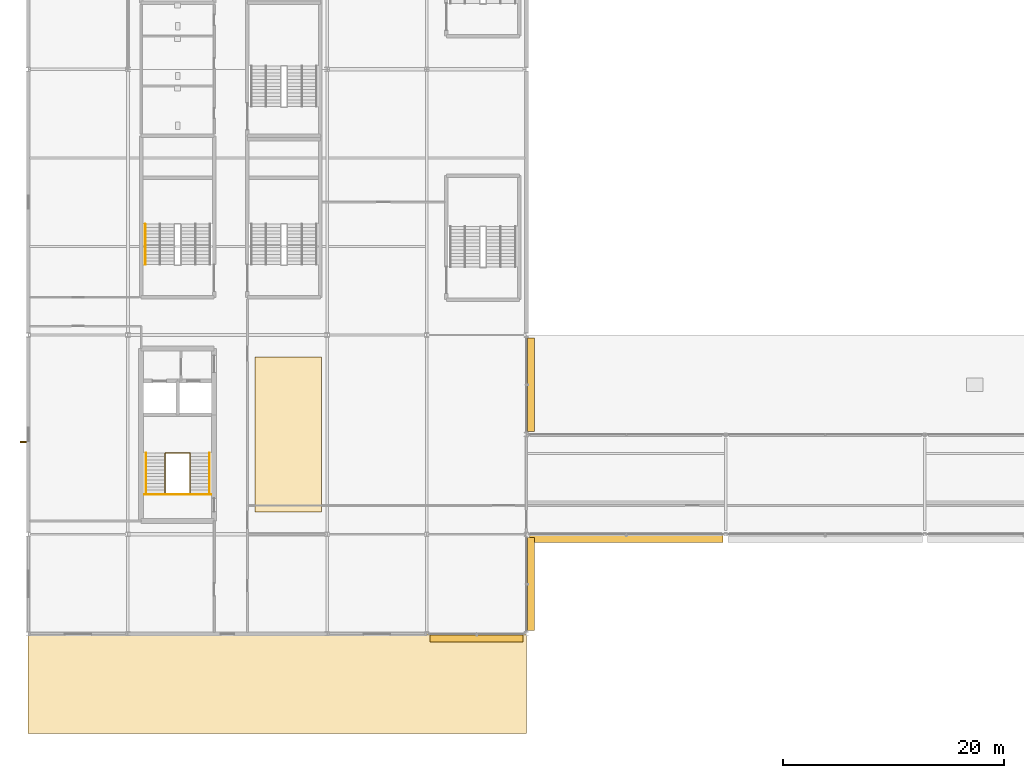
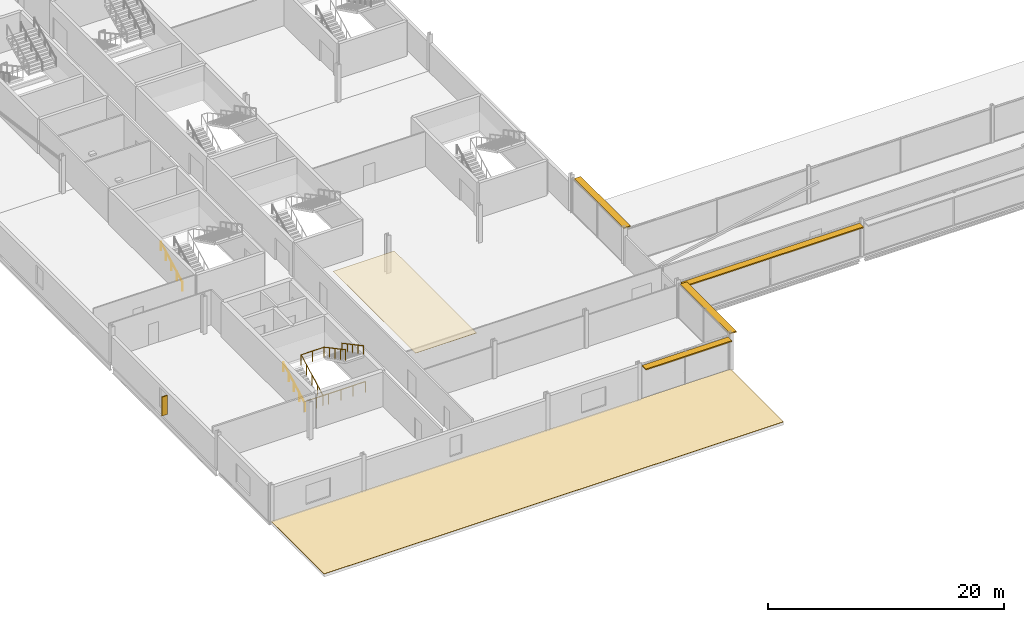
# One storey, part 96 of 105: 5 railings, 5 shading devices, 2 coverings, 1 element without a shape of its own.
"""IFC4 building model written with IfcOpenShell, lengths in metres."""

from ifc_helpers import new_model, si_unit, direction, frame, origin, origin_2d, place, context, subcontext, project, spatial, polyline, rectangle, circle, outline, extrude, material, layer, layer_set, type_object, element, aggregate, save


model = new_model("IFC4")

# Units and contexts
model_context = context("Model", 3, precision=1e-05, world=origin(), true_north=direction((0.0, 1.0)))
body_context = subcontext(model_context, "Body", "Model", "MODEL_VIEW")
ifc_project = project(units=[si_unit("LENGTHUNIT", "METRE"), si_unit("AREAUNIT", "SQUARE_METRE"), si_unit("VOLUMEUNIT", "CUBIC_METRE"), si_unit("PLANEANGLEUNIT", "RADIAN"), si_unit("MASSUNIT", "GRAM", prefix="KILO")], contexts=[model_context])

# Site, building, storey
site_placement = place(None, origin())
site = spatial("IfcSite", under=ifc_project, at=site_placement, CompositionType="ELEMENT")
building_placement = place(site_placement, origin())
building = spatial("IfcBuilding", under=site, at=building_placement, Name="Kisiwana Market Hall", CompositionType="ELEMENT")
storey_placement = place(building_placement, frame((0.0, 0.0, 21.60009765625)))
storey = spatial("IfcBuildingStorey", under=building, at=storey_placement, Name="L04", CompositionType="ELEMENT", Elevation=21.60009765625)

# Covering
ifc_material_1 = material(Name="Mineral-fibre acoustic ceiling board")
ifc_layer_1 = layer(ifc_material_1, 0.02490234375)
ifc_layer_set_1 = layer_set([ifc_layer_1], Name="COV-CEIL-AC")
covering_type_1 = type_object("IfcCoveringType", Name="COV-CEIL-AC", PredefinedType="CEILING", material=ifc_layer_set_1)
covering_1_placement = place(storey_placement, frame((0.0, 0.0, 3.559814453125)))
element("IfcCovering", 1, at=covering_1_placement, inside=storey, type_object=covering_type_1, Name="Acoustic ceiling grid L04-013", PredefinedType="CEILING", context=body_context, shape_type="SweptSolid", body=[
    extrude(outline(polyline([(20.5, 20.0), (26.5, 20.0), (26.5, 34.0), (20.5, 34.0), (20.5, 20.0)])), origin(), (0.0, 0.0, 1.0), 0.025146484375),
])

# Roof, covering
ifc_material_2 = material(Name="Concrete C32/40", Category="concrete")
ifc_layer_2 = layer(ifc_material_2, 0.22998046875)
ifc_layer_set_2 = layer_set([ifc_layer_2], Name="RF-CROWN-FLAT")
roof_type = type_object("IfcRoofType", Name="RF-CROWN-FLAT", PredefinedType="FLAT_ROOF", material=ifc_layer_set_2)
roof_placement = place(storey_placement, origin())
roof = element("IfcRoof", 2, at=roof_placement, inside=storey, type_object=roof_type, Name="Flat roof assembly RF-L03-WS", PredefinedType="FLAT_ROOF")
ifc_material_3 = material(Name="Aluminium alloy 3003 standing-seam sheet", Category="aluminium")
ifc_layer_3 = layer(ifc_material_3, 0.034912109375)
ifc_layer_set_3 = layer_set([ifc_layer_3], Name="COV-ROOF-SEAM")
covering_type_2 = type_object("IfcCoveringType", Name="COV-ROOF-SEAM", PredefinedType="ROOFING", material=ifc_layer_set_3)
covering_2_placement = place(storey_placement, origin())
covering_2 = element("IfcCovering", 3, at=covering_2_placement, type_object=covering_type_2, Name="Standing-seam roof membrane RF-L03-WS", PredefinedType="ROOFING", context=body_context, shape_type="SweptSolid", body=[
    extrude(outline(polyline([(0.0, 0.0), (45.0, 0.0), (45.0, 9.0), (0.0, 9.0), (0.0, 0.0)])), origin(), (0.0, 0.0, 1.0), 0.034912109375),
])
aggregate(roof, [covering_2])

# Railings
ifc_material_4 = material(Name="Steel S275", Category="steel")
railing_type_1 = type_object("IfcRailingType", Name="RL-GUARD-1100", PredefinedType="GUARDRAIL", material=ifc_material_4)
railing_1_placement = place(storey_placement, frame((12.375, 21.674560546875, 0.0)))
element("IfcRailing", 4, at=railing_1_placement, inside=storey, type_object=railing_type_1, Name="Stair ST-W2-L04 inner-well guardrail (RL-751)", PredefinedType="GUARDRAIL", context=body_context, shape_type="SweptSolid", body=[
    extrude(circle(Radius=0.02392578125, at=origin_2d()), frame((0.0, 0.0, 1.076171875), z_axis=(0.0, 0.88255331184, 0.47021234752), x_axis=(-1.0, 0.0, 0.0)), (0.0, 0.0, 1.0), 4.14697265625),
    extrude(circle(Radius=0.02392578125, at=origin_2d()), frame((0.0, 3.659912109375, 3.02587890625), z_axis=(1.0, 0.0, 0.0), x_axis=(0.0, 1.0, 0.0)), (0.0, 0.0, 1.0), 2.25),
    extrude(circle(Radius=0.02392578125, at=origin_2d()), frame((2.25, 3.659912109375, 3.02587890625), z_axis=(0.0, -0.88255331184, 0.47021234752), x_axis=(1.0, 0.0, 0.0)), (0.0, 0.0, 1.0), 4.14697265625),
    extrude(circle(Radius=0.02099609375, at=origin_2d()), origin(), (0.0, 0.0, 1.0), 1.052001953125),
    extrude(circle(Radius=0.02099609375, at=origin_2d()), frame((0.0, 0.9150390625, 0.487548828125)), (0.0, 0.0, 1.0), 1.052001953125),
    extrude(circle(Radius=0.02099609375, at=origin_2d()), frame((0.0, 1.830078125, 0.97509765625)), (0.0, 0.0, 1.0), 1.052001953125),
    extrude(circle(Radius=0.02099609375, at=origin_2d()), frame((0.0, 2.744873046875, 1.46240234375)), (0.0, 0.0, 1.0), 1.052001953125),
    extrude(circle(Radius=0.02099609375, at=origin_2d()), frame((0.0, 3.659912109375, 1.949951171875)), (0.0, 0.0, 1.0), 1.052001953125),
    extrude(circle(Radius=0.02099609375, at=origin_2d()), frame((1.125, 3.659912109375, 1.949951171875)), (0.0, 0.0, 1.0), 1.052001953125),
    extrude(circle(Radius=0.02099609375, at=origin_2d()), frame((2.25, 3.659912109375, 1.949951171875)), (0.0, 0.0, 1.0), 1.052001953125),
    extrude(circle(Radius=0.02099609375, at=origin_2d()), frame((2.25, 2.744873046875, 2.4375)), (0.0, 0.0, 1.0), 1.052001953125),
    extrude(circle(Radius=0.02099609375, at=origin_2d()), frame((2.25, 1.830078125, 2.9248046875)), (0.0, 0.0, 1.0), 1.052001953125),
    extrude(circle(Radius=0.02099609375, at=origin_2d()), frame((2.25, 0.9150390625, 3.412353515625)), (0.0, 0.0, 1.0), 1.052001953125),
    extrude(circle(Radius=0.02099609375, at=origin_2d()), frame((2.25, 0.0, 3.89990234375)), (0.0, 0.0, 1.0), 1.052001953125),
])
railing_2_placement = place(storey_placement, frame((10.5048828125, 21.594482421875, 0.0)))
element("IfcRailing", 5, at=railing_2_placement, inside=storey, type_object=railing_type_1, Name="Stair ST-W2-L04 landing edge guardrail (RL-754)", PredefinedType="GUARDRAIL", context=body_context, shape_type="SweptSolid", body=[
    extrude(circle(Radius=0.02392578125, at=origin_2d()), frame((0.0, 0.0, 1.076171875), z_axis=(1.0, 0.0, 0.0), x_axis=(0.0, 1.0, 0.0)), (0.0, 0.0, 1.0), 5.990234375),
    extrude(circle(Radius=0.02099609375, at=origin_2d()), origin(), (0.0, 0.0, 1.0), 1.052001953125),
    extrude(circle(Radius=0.02099609375, at=origin_2d()), frame((1.197998046875, 0.0, 0.0)), (0.0, 0.0, 1.0), 1.052001953125),
    extrude(circle(Radius=0.02099609375, at=origin_2d()), frame((2.39599609375, 0.0, 0.0)), (0.0, 0.0, 1.0), 1.052001953125),
    extrude(circle(Radius=0.02099609375, at=origin_2d()), frame((3.59423828125, 0.0, 0.0)), (0.0, 0.0, 1.0), 1.052001953125),
    extrude(circle(Radius=0.02099609375, at=origin_2d()), frame((4.792236328125, 0.0, 0.0)), (0.0, 0.0, 1.0), 1.052001953125),
    extrude(circle(Radius=0.02099609375, at=origin_2d()), frame((5.990234375, 0.0, 0.0)), (0.0, 0.0, 1.0), 1.052001953125),
])
ifc_material_5 = material(Name="Steel S275", Category="steel")
railing_type_2 = type_object("IfcRailingType", Name="RL-HAND-900", PredefinedType="HANDRAIL", material=ifc_material_5)
railing_3_placement = place(storey_placement, frame((10.635009765625, 21.674560546875, 0.0)))
element("IfcRailing", 6, at=railing_3_placement, inside=storey, type_object=railing_type_2, Name="Stair ST-W2-L04 flight 1 handrail (RL-752)", PredefinedType="HANDRAIL", context=body_context, shape_type="SweptSolid", body=[
    extrude(circle(Radius=0.02392578125, at=origin_2d()), frame((0.0, 0.0, 0.8759765625), z_axis=(0.0, 0.88255331184, 0.47021234752), x_axis=(-1.0, 0.0, 0.0)), (0.0, 0.0, 1.0), 4.14697265625),
    extrude(circle(Radius=0.02099609375, at=origin_2d()), origin(), (0.0, 0.0, 1.0), 0.851806640625),
    extrude(circle(Radius=0.02099609375, at=origin_2d()), frame((0.0, 0.9150390625, 0.487548828125)), (0.0, 0.0, 1.0), 0.851806640625),
    extrude(circle(Radius=0.02099609375, at=origin_2d()), frame((0.0, 1.830078125, 0.97509765625)), (0.0, 0.0, 1.0), 0.851806640625),
    extrude(circle(Radius=0.02099609375, at=origin_2d()), frame((0.0, 2.744873046875, 1.46240234375)), (0.0, 0.0, 1.0), 0.851806640625),
    extrude(circle(Radius=0.02099609375, at=origin_2d()), frame((0.0, 3.659912109375, 1.949951171875)), (0.0, 0.0, 1.0), 0.851806640625),
])
railing_4_placement = place(storey_placement, frame((16.364990234375, 25.33447265625, 1.949951171875)))
element("IfcRailing", 7, at=railing_4_placement, inside=storey, type_object=railing_type_2, Name="Stair ST-W2-L04 flight 2 handrail (RL-753)", PredefinedType="HANDRAIL", context=body_context, shape_type="SweptSolid", body=[
    extrude(circle(Radius=0.02392578125, at=origin_2d()), frame((0.0, 0.0, 0.8759765625), z_axis=(0.0, -0.88255331184, 0.47021234752), x_axis=(1.0, 0.0, 0.0)), (0.0, 0.0, 1.0), 4.14697265625),
    extrude(circle(Radius=0.02099609375, at=origin_2d()), origin(), (0.0, 0.0, 1.0), 0.851806640625),
    extrude(circle(Radius=0.02099609375, at=origin_2d()), frame((0.0, -0.9150390625, 0.487548828125)), (0.0, 0.0, 1.0), 0.851806640625),
    extrude(circle(Radius=0.02099609375, at=origin_2d()), frame((0.0, -1.830078125, 0.97509765625)), (0.0, 0.0, 1.0), 0.851806640625),
    extrude(circle(Radius=0.02099609375, at=origin_2d()), frame((0.0, -2.744873046875, 1.46240234375)), (0.0, 0.0, 1.0), 0.851806640625),
    extrude(circle(Radius=0.02099609375, at=origin_2d()), frame((0.0, -3.659912109375, 1.949951171875)), (0.0, 0.0, 1.0), 0.851806640625),
])
railing_5_placement = place(storey_placement, frame((10.570068359375, 42.360107421875, 0.0)))
element("IfcRailing", 8, at=railing_5_placement, inside=storey, type_object=railing_type_2, Name="Stair ST-W3-L04 flight 1 handrail (RL-768)", PredefinedType="HANDRAIL", context=body_context, shape_type="SweptSolid", body=[
    extrude(circle(Radius=0.02392578125, at=origin_2d()), frame((0.0, 0.0, 0.8759765625), z_axis=(0.0, 0.88255331184, 0.47021234752), x_axis=(-1.0, 0.0, 0.0)), (0.0, 0.0, 1.0), 4.14697265625),
    extrude(circle(Radius=0.02099609375, at=origin_2d()), origin(), (0.0, 0.0, 1.0), 0.851806640625),
    extrude(circle(Radius=0.02099609375, at=origin_2d()), frame((0.0, 0.9150390625, 0.487548828125)), (0.0, 0.0, 1.0), 0.851806640625),
    extrude(circle(Radius=0.02099609375, at=origin_2d()), frame((0.0, 1.830078125, 0.97509765625)), (0.0, 0.0, 1.0), 0.851806640625),
    extrude(circle(Radius=0.02099609375, at=origin_2d()), frame((0.0, 2.744873046875, 1.46240234375)), (0.0, 0.0, 1.0), 0.851806640625),
    extrude(circle(Radius=0.02099609375, at=origin_2d()), frame((0.0, 3.659912109375, 1.949951171875)), (0.0, 0.0, 1.0), 0.851806640625),
])

# Shading devices
ifc_material_6 = material(Name="Aluminium alloy 6063-T6", Category="aluminium")
shading_device_type_1 = type_object("IfcShadingDeviceType", Name="SHD-JALOUSIE-H", PredefinedType="JALOUSIE", material=ifc_material_6)
shading_device_1_placement = place(storey_placement, frame((40.5, 8.580078125, 3.40478515625), z_axis=(0.0, 0.0, 1.0), x_axis=(1.0, 0.0, 0.0)))
element("IfcShadingDevice", 9, at=shading_device_1_placement, inside=storey, type_object=shading_device_type_1, Name="Aluminium brise-soleil louvre SHD-071 SD-071", PredefinedType="JALOUSIE", context=body_context, shape_type="SweptSolid", body=[
    extrude(rectangle(XDim=8.427490234375, YDim=0.64990234375, at=origin_2d()), origin(), (0.0, 0.0, 1.0), 0.1201171875),
])
shading_device_2_placement = place(storey_placement, frame((54.03076171875, 17.580078125, 3.40478515625), z_axis=(0.0, 0.0, 1.0), x_axis=(1.0, 0.0, 0.0)))
element("IfcShadingDevice", 10, at=shading_device_2_placement, inside=storey, type_object=shading_device_type_1, Name="Aluminium brise-soleil louvre SHD-074 SD-074", PredefinedType="JALOUSIE", context=body_context, shape_type="SweptSolid", body=[
    extrude(rectangle(XDim=17.48876953125, YDim=0.64990234375, at=origin_2d()), origin(), (0.0, 0.0, 1.0), 0.1201171875),
])
for number, where, z_axis, x_axis, name in (
    (11, (45.419921875, 13.5, 3.40478515625), (0.0, 0.0, 1.0), (0.0, 1.0, 0.0), "Aluminium brise-soleil louvre SHD-089 SD-089"),
    (12, (45.419921875, 31.5, 3.40478515625), (0.0, 0.0, 1.0), (0.0, 1.0, 0.0), "Aluminium brise-soleil louvre SHD-090 SD-090"),
):
    element("IfcShadingDevice", number, at=place(storey_placement, frame(where, z_axis=z_axis, x_axis=x_axis)), inside=storey, type_object=shading_device_type_1, Name=name, PredefinedType="JALOUSIE", context=body_context, shape_type="SweptSolid", body=[
        extrude(rectangle(XDim=8.431884765625, YDim=0.64990234375, at=origin_2d()), origin(), (0.0, 0.0, 1.0), 0.1201171875),
    ])
ifc_material_7 = material(Name="Aluminium alloy 6063-T6", Category="aluminium")
shading_device_type_2 = type_object("IfcShadingDeviceType", Name="SHD-SHUTTER-V", PredefinedType="SHUTTER", material=ifc_material_7)
shading_device_3_placement = place(storey_placement, frame((-0.445068359375, 26.320068359375, 0.69970703125), z_axis=(0.0, 0.0, 1.0), x_axis=(0.0, 1.0, 0.0)))
element("IfcShadingDevice", 13, at=shading_device_3_placement, inside=storey, type_object=shading_device_type_2, Name="Vertical solar fin SHD-086 SD-086", PredefinedType="SHUTTER", context=body_context, shape_type="SweptSolid", body=[
    extrude(rectangle(XDim=0.1201171875, YDim=0.550048828125, at=origin_2d()), origin(), (0.0, 0.0, 1.0), 1.949951171875),
])

save(model, "model.ifc")
